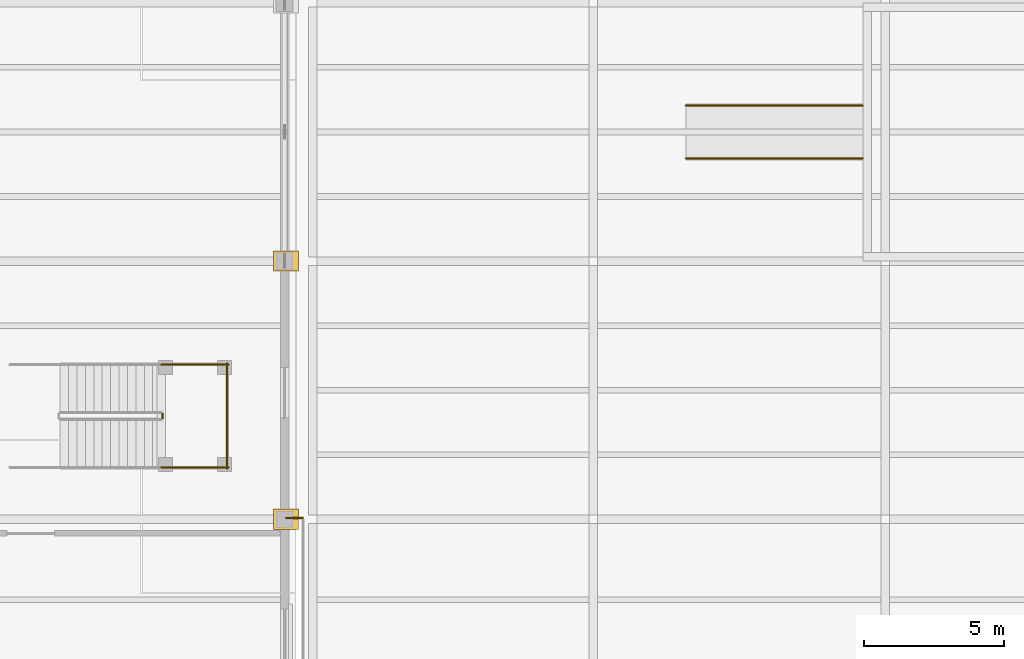
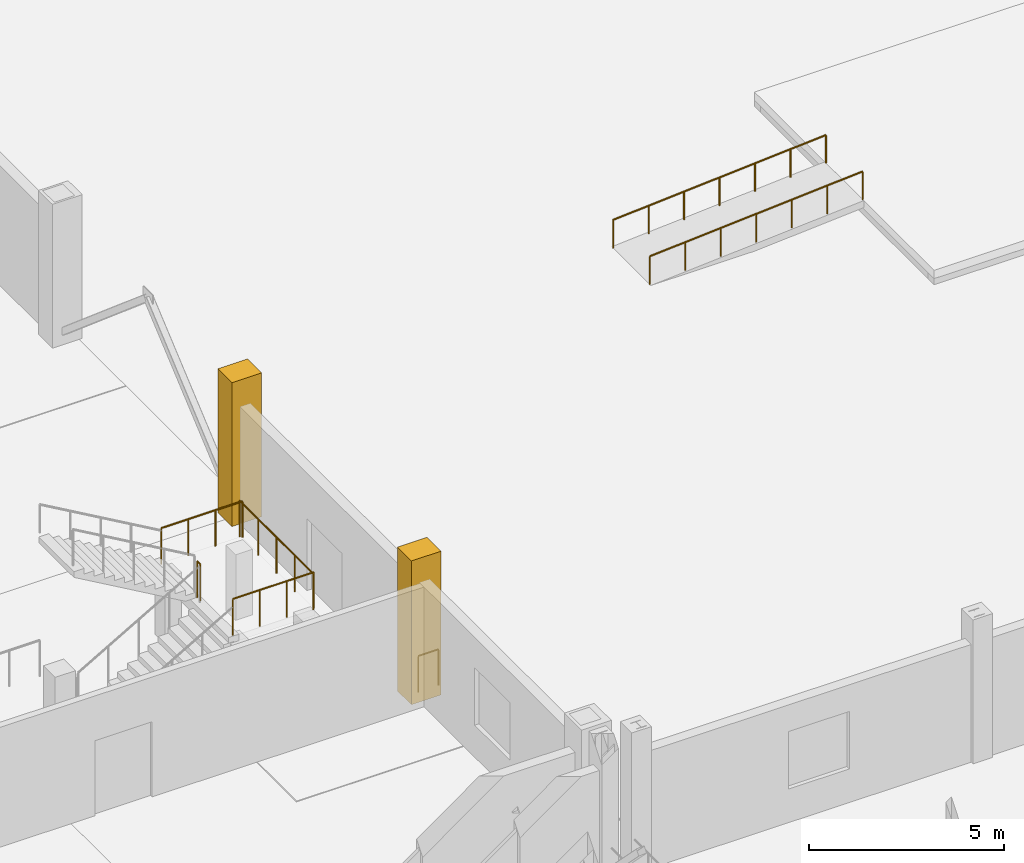
# One storey, part 154 of 156: 7 railings, 2 coverings.
"""IFC4 building model written with IfcOpenShell, lengths in metres."""

from ifc_helpers import new_model, si_unit, direction, frame, origin, origin_2d, place, context, subcontext, project, spatial, rectangle, circle, extrude, material, layer, layer_set, type_object, element, save


model = new_model("IFC4")

# Units and contexts
model_context = context("Model", 3, precision=1e-05, world=origin(), true_north=direction((0.0, 1.0)))
body_context = subcontext(model_context, "Body", "Model", "MODEL_VIEW")
ifc_project = project(units=[si_unit("LENGTHUNIT", "METRE"), si_unit("AREAUNIT", "SQUARE_METRE"), si_unit("VOLUMEUNIT", "CUBIC_METRE"), si_unit("PLANEANGLEUNIT", "RADIAN"), si_unit("MASSUNIT", "GRAM", prefix="KILO")], contexts=[model_context])

# Site, building, storey
site_placement = place(None, origin())
site = spatial("IfcSite", under=ifc_project, at=site_placement, CompositionType="ELEMENT")
building_placement = place(site_placement, origin())
building = spatial("IfcBuilding", under=site, at=building_placement, Name="Caurita Quay Ferry Terminal", CompositionType="ELEMENT")
storey_placement = place(building_placement, frame((0.0, 0.0, 5.39990234375)))
storey = spatial("IfcBuildingStorey", under=building, at=storey_placement, Name="L01", CompositionType="ELEMENT", Elevation=5.39990234375)

# Coverings
ifc_material_1 = material(Name="Warm-white lime stucco masonry", Category="masonry")
ifc_layer = layer(ifc_material_1, 0.179931640625, Name="Classical engaged lime-stucco facade pilaster cladding 180 mm")
ifc_layer_set = layer_set([ifc_layer], Name="Warm-white lime stucco masonry")
covering_type = type_object("IfcCoveringType", Name="COV-PIL-CLD", PredefinedType="CLADDING", material=ifc_layer_set)
for number, where, z_axis, x_axis, name in (
    (1, (131.85009765625, 80.199951171875, 0.0), (0.0, 0.0, 1.0), (1.0, 0.0, 0.0), "L01 Classical Engaged Pilaster 0230"),
    (2, (131.85009765625, 89.39990234375, 0.0), (0.0, 0.0, 1.0), (1.0, 0.0, 0.0), "L01 Classical Engaged Pilaster 0231"),
):
    element("IfcCovering", number, at=place(storey_placement, frame(where, z_axis=z_axis, x_axis=x_axis)), inside=storey, type_object=covering_type, Name=name, PredefinedType="CLADDING", context=body_context, shape_type="SweptSolid", body=[
        extrude(rectangle(XDim=0.8798828125, YDim=0.719970703125, at=origin_2d()), origin(), (0.0, 0.0, 1.0), 4.5),
    ])

# Railings
ifc_material_2 = material(Name="Bronze architectural metalwork", Category="metal")
railing_type_1 = type_object("IfcRailingType", Name="RL-HND-090", PredefinedType="HANDRAIL", material=ifc_material_2)
for number, where, name in (
    (3, (146.10009765625, 93.06005859375, 0.0), "Roof Garden Accessible Promenade Ramp Handrail 1"),
    (4, (146.10009765625, 94.93994140625, 0.0), "Roof Garden Accessible Promenade Ramp Handrail 2"),
):
    element("IfcRailing", number, at=place(storey_placement, frame(where)), inside=storey, type_object=railing_type_1, Name=name, PredefinedType="HANDRAIL", context=body_context, shape_type="SweptSolid", body=[
        extrude(circle(Radius=0.02392578125, at=origin_2d()), frame((0.0, 0.0, 0.8759765625), z_axis=(0.99745634466, 0.0, 0.071280014709), x_axis=(0.0, 1.0, 0.0)), (0.0, 0.0, 1.0), 6.31591796875),
        extrude(circle(Radius=0.02099609375, at=origin_2d()), origin(), (0.0, 0.0, 1.0), 0.851806640625),
        extrude(circle(Radius=0.02099609375, at=origin_2d()), frame((1.050048828125, 0.0, 0.074951171875)), (0.0, 0.0, 1.0), 0.851806640625),
        extrude(circle(Radius=0.02099609375, at=origin_2d()), frame((2.099853515625, 0.0, 0.150146484375)), (0.0, 0.0, 1.0), 0.851806640625),
        extrude(circle(Radius=0.02099609375, at=origin_2d()), frame((3.14990234375, 0.0, 0.22509765625)), (0.0, 0.0, 1.0), 0.851806640625),
        extrude(circle(Radius=0.02099609375, at=origin_2d()), frame((4.199951171875, 0.0, 0.300048828125)), (0.0, 0.0, 1.0), 0.851806640625),
        extrude(circle(Radius=0.02099609375, at=origin_2d()), frame((5.249755859375, 0.0, 0.375244140625)), (0.0, 0.0, 1.0), 0.851806640625),
        extrude(circle(Radius=0.02099609375, at=origin_2d()), frame((6.2998046875, 0.0, 0.4501953125)), (0.0, 0.0, 1.0), 0.851806640625),
    ])
railing_type_2 = type_object("IfcRailingType", Name="RL-REJA-115", PredefinedType="BALUSTRADE", material=ifc_material_2)
railing_1_placement = place(storey_placement, frame((131.85009765625, 80.25, 0.0)))
element("IfcRailing", 5, at=railing_1_placement, inside=storey, type_object=railing_type_2, Name="Seismic Joint Bridge Guard South (020)", PredefinedType="BALUSTRADE", context=body_context, shape_type="SweptSolid", body=[
    extrude(circle(Radius=0.02392578125, at=origin_2d()), frame((0.0, 0.0, 1.1259765625), z_axis=(1.0, 0.0, 0.0), x_axis=(0.0, 1.0, 0.0)), (0.0, 0.0, 1.0), 0.599853515625),
    extrude(circle(Radius=0.02099609375, at=origin_2d()), origin(), (0.0, 0.0, 1.0), 1.101806640625),
    extrude(circle(Radius=0.02099609375, at=origin_2d()), frame((0.599853515625, 0.0, 0.0)), (0.0, 0.0, 1.0), 1.101806640625),
])
railing_2_placement = place(storey_placement, frame((127.449951171875, 83.800048828125, 2.25)))
element("IfcRailing", 6, at=railing_2_placement, inside=storey, type_object=railing_type_2, Name="L01 ST-13 stair guard 2", PredefinedType="BALUSTRADE", context=body_context, shape_type="SweptSolid", body=[
    extrude(circle(Radius=0.02392578125, at=origin_2d()), frame((0.0, 0.0, 1.1259765625), z_axis=(0.0, 1.0, 0.0), x_axis=(-1.0, 0.0, 0.0)), (0.0, 0.0, 1.0), 0.159912109375),
    extrude(circle(Radius=0.02099609375, at=origin_2d()), origin(), (0.0, 0.0, 1.0), 1.101806640625),
    extrude(circle(Radius=0.02099609375, at=origin_2d()), frame((0.0, 0.159912109375, 0.0)), (0.0, 0.0, 1.0), 1.101806640625),
])
for number, where, name in (
    (7, (127.39990234375, 82.050048828125, 2.25), "L01 ST-13 stair guard 3"),
    (8, (127.39990234375, 85.7099609375, 2.25), "L01 ST-13 stair guard 4"),
):
    element("IfcRailing", number, at=place(storey_placement, frame(where)), inside=storey, type_object=railing_type_2, Name=name, PredefinedType="BALUSTRADE", context=body_context, shape_type="SweptSolid", body=[
        extrude(circle(Radius=0.02392578125, at=origin_2d()), frame((0.0, 0.0, 1.1259765625), z_axis=(1.0, 0.0, 0.0), x_axis=(0.0, 1.0, 0.0)), (0.0, 0.0, 1.0), 2.400146484375),
        extrude(circle(Radius=0.02099609375, at=origin_2d()), origin(), (0.0, 0.0, 1.0), 1.101806640625),
        extrude(circle(Radius=0.02099609375, at=origin_2d()), frame((0.800048828125, 0.0, 0.0)), (0.0, 0.0, 1.0), 1.101806640625),
        extrude(circle(Radius=0.02099609375, at=origin_2d()), frame((1.60009765625, 0.0, 0.0)), (0.0, 0.0, 1.0), 1.101806640625),
        extrude(circle(Radius=0.02099609375, at=origin_2d()), frame((2.400146484375, 0.0, 0.0)), (0.0, 0.0, 1.0), 1.101806640625),
    ])
railing_3_placement = place(storey_placement, frame((129.75, 82.0, 2.25)))
element("IfcRailing", 9, at=railing_3_placement, inside=storey, type_object=railing_type_2, Name="L01 ST-13 stair guard 5", PredefinedType="BALUSTRADE", context=body_context, shape_type="SweptSolid", body=[
    extrude(circle(Radius=0.02392578125, at=origin_2d()), frame((0.0, 0.0, 1.1259765625), z_axis=(0.0, 1.0, 0.0), x_axis=(-1.0, 0.0, 0.0)), (0.0, 0.0, 1.0), 3.760009765625),
    extrude(circle(Radius=0.02099609375, at=origin_2d()), origin(), (0.0, 0.0, 1.0), 1.101806640625),
    extrude(circle(Radius=0.02099609375, at=origin_2d()), frame((0.0, 0.93994140625, 0.0)), (0.0, 0.0, 1.0), 1.101806640625),
    extrude(circle(Radius=0.02099609375, at=origin_2d()), frame((0.0, 1.8798828125, 0.0)), (0.0, 0.0, 1.0), 1.101806640625),
    extrude(circle(Radius=0.02099609375, at=origin_2d()), frame((0.0, 2.820068359375, 0.0)), (0.0, 0.0, 1.0), 1.101806640625),
    extrude(circle(Radius=0.02099609375, at=origin_2d()), frame((0.0, 3.760009765625, 0.0)), (0.0, 0.0, 1.0), 1.101806640625),
])

save(model, "model.ifc")
